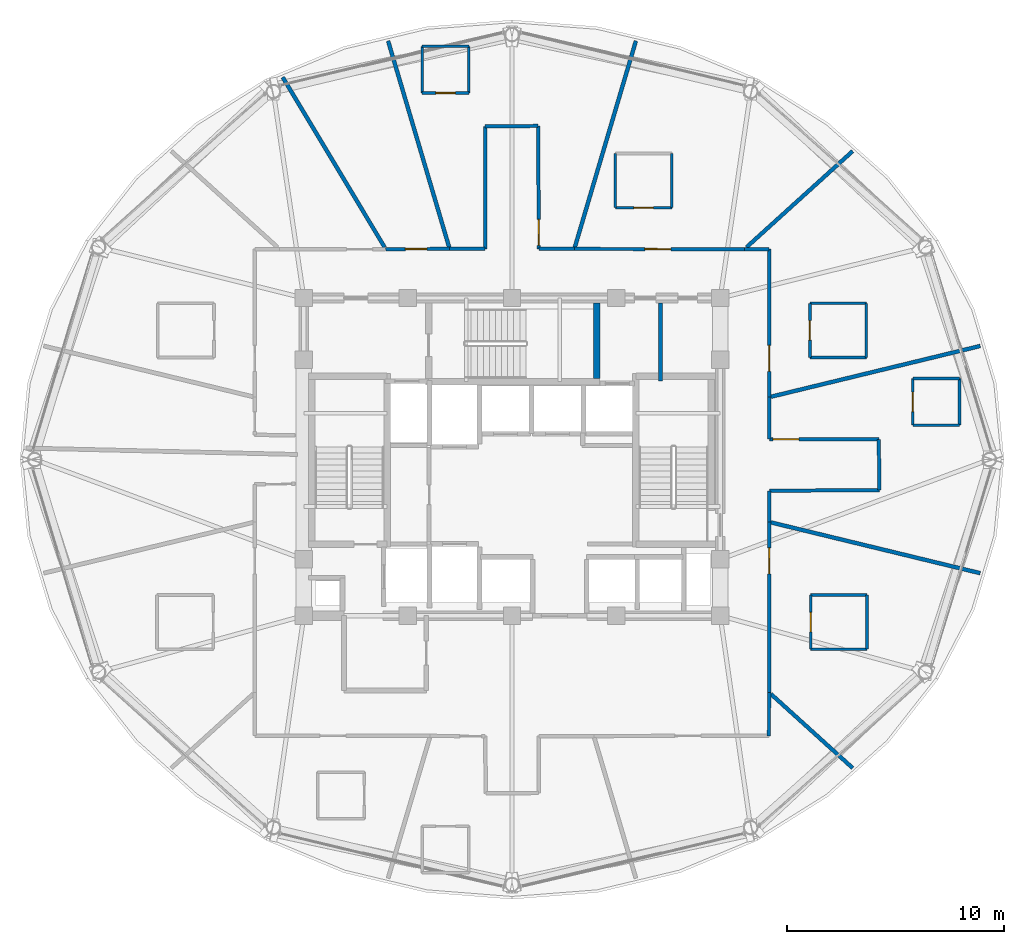
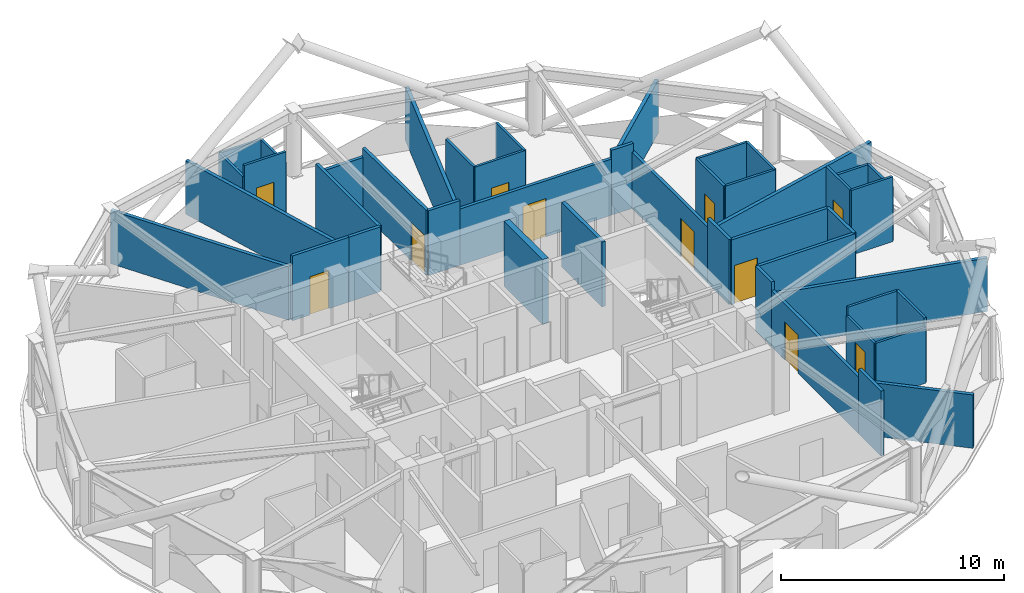
# One storey, part 24 of 29: 44 walls, 11 doors, 11 openings.
"""IFC4 building model written with IfcOpenShell, lengths in metres."""

from ifc_helpers import new_model, si_unit, direction, frame, frame_2d, origin, place, context, subcontext, project, spatial, rectangle, extrude, material, layer, layer_set, type_object, element, fill, save


model = new_model("IFC4")

# Units and contexts
model_context = context("Model", 3, precision=1e-05, world=origin(), true_north=direction((0.0, 1.0)))
body_context = subcontext(model_context, "Body", "Model", "MODEL_VIEW")
ifc_project = project(units=[si_unit("LENGTHUNIT", "METRE"), si_unit("AREAUNIT", "SQUARE_METRE"), si_unit("VOLUMEUNIT", "CUBIC_METRE"), si_unit("PLANEANGLEUNIT", "RADIAN"), si_unit("MASSUNIT", "GRAM", prefix="KILO")], contexts=[model_context])

# Site, building, storey
site_placement = place(None, origin())
site = spatial("IfcSite", under=ifc_project, at=site_placement, CompositionType="ELEMENT")
building_placement = place(site_placement, origin())
building = spatial("IfcBuilding", under=site, at=building_placement, Name="Vantalir Tower", CompositionType="ELEMENT")
storey_placement = place(building_placement, frame((0.0, 0.0, 227.39990234375)))
storey = spatial("IfcBuildingStorey", under=building, at=storey_placement, Name="L57", CompositionType="ELEMENT", Elevation=227.39990234375)

# Walls
ifc_material_1 = material(Name="Moisture-resistant en-suite partition", Category="gypsum")
ifc_layer_1 = layer(ifc_material_1, 0.125)
ifc_layer_set_1 = layer_set([ifc_layer_1], Name="Moisture-resistant en-suite partition")
wall_type_1 = type_object("IfcWallType", Name="WL-BATH-125", PredefinedType="PARTITIONING", material=ifc_layer_set_1)
for number, where, z_axis, x_axis, name in (
    (1, (45.237060546875, 29.7041015625, 0.0), (0.0, 0.0, 1.0), (1.0, 0.0, 0.0), "L57 En-suite 01 South Wall"),
    (2, (45.237060546875, 32.2041015625, 0.0), (0.0, 0.0, 1.0), (1.0, 0.0, 0.0), "L57 En-suite 01 North Wall"),
):
    element("IfcWall", number, at=place(storey_placement, frame(where, z_axis=z_axis, x_axis=x_axis)), inside=storey, type_object=wall_type_1, Name=name, PredefinedType="PARTITIONING", context=body_context, shape_type="SweptSolid", body=[
        extrude(rectangle(XDim=2.599853515625, YDim=0.125, at=frame_2d((1.2998046875, 0.0))), origin(), (0.0, 0.0, 1.0), 3.550048828125),
    ])

# Wall, opening, door
wall_1_placement = place(storey_placement, frame((45.237060546875, 29.7041015625, 0.0), z_axis=(0.0, 0.0, 1.0), x_axis=(0.0, 1.0, 0.0)))
wall_1 = element("IfcWall", 3, at=wall_1_placement, inside=storey, type_object=wall_type_1, Name="L57 En-suite 01 West Wall", PredefinedType="PARTITIONING", context=body_context, shape_type="SweptSolid", body=[
    extrude(rectangle(XDim=2.5, YDim=0.125, at=frame_2d((1.25, 0.0))), origin(), (0.0, 0.0, 1.0), 3.550048828125),
])
opening_1_placement = place(wall_1_placement, frame((0.800048828125, 0.0, 0.0)))
opening_1 = element("IfcOpeningElement", 4, at=opening_1_placement, cuts=wall_1, Name="Opening D-WC", PredefinedType="OPENING", context=body_context, shape_type="SweptSolid", body=[
    extrude(rectangle(XDim=0.89990234375, YDim=2.10009765625, at=frame_2d((0.449951171875, 1.050048828125))), frame((0.0, 0.072509765625, 0.0), z_axis=(0.0, -1.0, 0.0), x_axis=(1.0, 0.0, 0.0)), (0.0, 0.0, 1.0), 0.14501953125),
])
ifc_material_2 = material(Name="Moisture-resistant hardwood door", Category="wood")
door_type_1 = type_object("IfcDoorType", Name="DR-ENSUITE-900", OperationType="NOTDEFINED", PredefinedType="DOOR", material=ifc_material_2)
door_1_placement = place(opening_1_placement, frame((0.89990234375, 0.0, 0.0), z_axis=(0.0, 0.0, 1.0), x_axis=(-1.0, 0.0, 0.0)))
door_1 = element("IfcDoor", 5, at=door_1_placement, inside=storey, type_object=door_type_1, Name="L57 En-suite 01 Door", OperationType="SINGLE_SWING_LEFT", OverallHeight=2.10009765625, OverallWidth=0.89990234375, PredefinedType="DOOR", context=body_context, shape_type="SweptSolid", body=[
    extrude(rectangle(XDim=0.89990234375, YDim=2.10009765625, at=frame_2d((0.449951171875, 1.050048828125))), frame((0.0, 0.02490234375, 0.0), z_axis=(0.0, -1.0, 0.0), x_axis=(1.0, 0.0, 0.0)), (0.0, 0.0, 1.0), 0.050048828125),
])
fill(opening_1, door_1)

# Wall
wall_2_placement = place(storey_placement, frame((47.8369140625, 29.7041015625, 0.0), z_axis=(0.0, 0.0, 1.0), x_axis=(0.0, 1.0, 0.0)))
element("IfcWall", 6, at=wall_2_placement, inside=storey, type_object=wall_type_1, Name="L57 En-suite 01 East Wall", PredefinedType="PARTITIONING", context=body_context, shape_type="SweptSolid", body=[
    extrude(rectangle(XDim=2.5, YDim=0.125, at=frame_2d((1.25, 0.0))), origin(), (0.0, 0.0, 1.0), 3.550048828125),
])

# Wall, opening, door
wall_3_placement = place(storey_placement, frame((36.26708984375, 36.617919921875, 0.0), z_axis=(0.0, 0.0, 1.0), x_axis=(1.0, 0.0, 0.0)))
wall_3 = element("IfcWall", 7, at=wall_3_placement, inside=storey, type_object=wall_type_1, Name="L57 En-suite 02 South Wall", PredefinedType="PARTITIONING", context=body_context, shape_type="SweptSolid", body=[
    extrude(rectangle(XDim=2.599853515625, YDim=0.125, at=frame_2d((1.2998046875, 0.0))), origin(), (0.0, 0.0, 1.0), 3.550048828125),
])
opening_2_placement = place(wall_3_placement, frame((0.85009765625, 0.0, 0.0)))
opening_2 = element("IfcOpeningElement", 8, at=opening_2_placement, cuts=wall_3, Name="Opening D-WC", PredefinedType="OPENING", context=body_context, shape_type="SweptSolid", body=[
    extrude(rectangle(XDim=0.89990234375, YDim=2.10009765625, at=frame_2d((0.449951171875, 1.050048828125))), frame((0.0, 0.072509765625, 0.0), z_axis=(0.0, -1.0, 0.0), x_axis=(1.0, 0.0, 0.0)), (0.0, 0.0, 1.0), 0.14501953125),
])
door_2_placement = place(opening_2_placement, origin())
door_2 = element("IfcDoor", 9, at=door_2_placement, inside=storey, type_object=door_type_1, Name="L57 En-suite 02 Door", OperationType="SINGLE_SWING_RIGHT", OverallHeight=2.10009765625, OverallWidth=0.89990234375, PredefinedType="DOOR", context=body_context, shape_type="SweptSolid", body=[
    extrude(rectangle(XDim=0.89990234375, YDim=2.10009765625, at=frame_2d((0.449951171875, 1.050048828125))), frame((0.0, 0.02490234375, 0.0), z_axis=(0.0, -1.0, 0.0), x_axis=(1.0, 0.0, 0.0)), (0.0, 0.0, 1.0), 0.050048828125),
])
fill(opening_2, door_2)

# Walls
for number, where, z_axis, x_axis, name in (
    (10, (36.26708984375, 36.617919921875, 0.0), (0.0, 0.0, 1.0), (0.0, 1.0, 0.0), "L57 En-suite 02 West Wall"),
    (11, (38.866943359375, 36.617919921875, 0.0), (0.0, 0.0, 1.0), (0.0, 1.0, 0.0), "L57 En-suite 02 East Wall"),
):
    element("IfcWall", number, at=place(storey_placement, frame(where, z_axis=z_axis, x_axis=x_axis)), inside=storey, type_object=wall_type_1, Name=name, PredefinedType="PARTITIONING", context=body_context, shape_type="SweptSolid", body=[
        extrude(rectangle(XDim=2.5, YDim=0.125, at=frame_2d((1.25, 0.0))), origin(), (0.0, 0.0, 1.0), 3.550048828125),
    ])

# Wall, opening, door
wall_4_placement = place(storey_placement, frame((27.360107421875, 41.906005859375, 0.0), z_axis=(0.0, 0.0, 1.0), x_axis=(1.0, 0.0, 0.0)))
wall_4 = element("IfcWall", 12, at=wall_4_placement, inside=storey, type_object=wall_type_1, Name="L57 En-suite 03 South Wall", PredefinedType="PARTITIONING", context=body_context, shape_type="SweptSolid", body=[
    extrude(rectangle(XDim=2.14990234375, YDim=0.125, at=frame_2d((1.074951171875, 0.0))), origin(), (0.0, 0.0, 1.0), 3.550048828125),
])
opening_3_placement = place(wall_4_placement, frame((0.625, 0.0, 0.0)))
opening_3 = element("IfcOpeningElement", 13, at=opening_3_placement, cuts=wall_4, Name="Opening D-WC", PredefinedType="OPENING", context=body_context, shape_type="SweptSolid", body=[
    extrude(rectangle(XDim=0.89990234375, YDim=2.10009765625, at=frame_2d((0.449951171875, 1.050048828125))), frame((0.0, 0.072509765625, 0.0), z_axis=(0.0, -1.0, 0.0), x_axis=(1.0, 0.0, 0.0)), (0.0, 0.0, 1.0), 0.14501953125),
])
door_3_placement = place(opening_3_placement, origin())
door_3 = element("IfcDoor", 14, at=door_3_placement, inside=storey, type_object=door_type_1, Name="L57 En-suite 03 Door", OperationType="SINGLE_SWING_LEFT", OverallHeight=2.10009765625, OverallWidth=0.89990234375, PredefinedType="DOOR", context=body_context, shape_type="SweptSolid", body=[
    extrude(rectangle(XDim=0.89990234375, YDim=2.10009765625, at=frame_2d((0.449951171875, 1.050048828125))), frame((0.0, 0.02490234375, 0.0), z_axis=(0.0, -1.0, 0.0), x_axis=(1.0, 0.0, 0.0)), (0.0, 0.0, 1.0), 0.050048828125),
])
fill(opening_3, door_3)

# Walls
for number, where, z_axis, x_axis, name in (
    (15, (27.360107421875, 44.055908203125, 0.0), (0.0, 0.0, 1.0), (1.0, 0.0, 0.0), "L57 En-suite 03 North Wall"),
    (16, (27.360107421875, 41.906005859375, 0.0), (0.0, 0.0, 1.0), (0.0, 1.0, 0.0), "L57 En-suite 03 West Wall"),
    (17, (29.510009765625, 41.906005859375, 0.0), (0.0, 0.0, 1.0), (0.0, 1.0, 0.0), "L57 En-suite 03 East Wall"),
):
    element("IfcWall", number, at=place(storey_placement, frame(where, z_axis=z_axis, x_axis=x_axis)), inside=storey, type_object=wall_type_1, Name=name, PredefinedType="PARTITIONING", context=body_context, shape_type="SweptSolid", body=[
        extrude(rectangle(XDim=2.14990234375, YDim=0.125, at=frame_2d((1.074951171875, 0.0))), origin(), (0.0, 0.0, 1.0), 2.925048828125),
    ])
wall_5_placement = place(storey_placement, frame((45.27490234375, 16.256103515625, 0.0), z_axis=(0.0, 0.0, 1.0), x_axis=(1.0, 0.0, 0.0)))
element("IfcWall", 18, at=wall_5_placement, inside=storey, type_object=wall_type_1, Name="L57 En-suite 13 South Wall", PredefinedType="PARTITIONING", context=body_context, shape_type="SweptSolid", body=[
    extrude(rectangle(XDim=2.60009765625, YDim=0.125, at=frame_2d((1.300048828125, 0.0))), origin(), (0.0, 0.0, 1.0), 3.0810546875),
])
wall_6_placement = place(storey_placement, frame((45.27490234375, 18.756103515625, 0.0), z_axis=(0.0, 0.0, 1.0), x_axis=(1.0, 0.0, 0.0)))
element("IfcWall", 19, at=wall_6_placement, inside=storey, type_object=wall_type_1, Name="L57 En-suite 13 North Wall", PredefinedType="PARTITIONING", context=body_context, shape_type="SweptSolid", body=[
    extrude(rectangle(XDim=2.60009765625, YDim=0.125, at=frame_2d((1.300048828125, 0.0))), origin(), (0.0, 0.0, 1.0), 3.550048828125),
])

# Wall, opening, door
wall_7_placement = place(storey_placement, frame((45.27490234375, 16.256103515625, 0.0), z_axis=(0.0, 0.0, 1.0), x_axis=(0.0, 1.0, 0.0)))
wall_7 = element("IfcWall", 20, at=wall_7_placement, inside=storey, type_object=wall_type_1, Name="L57 En-suite 13 West Wall", PredefinedType="PARTITIONING", context=body_context, shape_type="SweptSolid", body=[
    extrude(rectangle(XDim=2.5, YDim=0.125, at=frame_2d((1.25, 0.0))), origin(), (0.0, 0.0, 1.0), 3.0810546875),
])
opening_4_placement = place(wall_7_placement, frame((0.800048828125, 0.0, 0.0)))
opening_4 = element("IfcOpeningElement", 21, at=opening_4_placement, cuts=wall_7, Name="Opening D-WC", PredefinedType="OPENING", context=body_context, shape_type="SweptSolid", body=[
    extrude(rectangle(XDim=0.89990234375, YDim=2.10009765625, at=frame_2d((0.449951171875, 1.050048828125))), frame((0.0, 0.072509765625, 0.0), z_axis=(0.0, -1.0, 0.0), x_axis=(1.0, 0.0, 0.0)), (0.0, 0.0, 1.0), 0.14501953125),
])
door_4_placement = place(opening_4_placement, frame((0.89990234375, 0.0, 0.0), z_axis=(0.0, 0.0, 1.0), x_axis=(-1.0, 0.0, 0.0)))
door_4 = element("IfcDoor", 22, at=door_4_placement, inside=storey, type_object=door_type_1, Name="L57 En-suite 13 Door", OperationType="SINGLE_SWING_LEFT", OverallHeight=2.10009765625, OverallWidth=0.89990234375, PredefinedType="DOOR", context=body_context, shape_type="SweptSolid", body=[
    extrude(rectangle(XDim=0.89990234375, YDim=2.10009765625, at=frame_2d((0.449951171875, 1.050048828125))), frame((0.0, 0.02490234375, 0.0), z_axis=(0.0, -1.0, 0.0), x_axis=(1.0, 0.0, 0.0)), (0.0, 0.0, 1.0), 0.050048828125),
])
fill(opening_4, door_4)

# Walls
wall_8_placement = place(storey_placement, frame((47.875, 16.256103515625, 0.0), z_axis=(0.0, 0.0, 1.0), x_axis=(0.0, 1.0, 0.0)))
element("IfcWall", 23, at=wall_8_placement, inside=storey, type_object=wall_type_1, Name="L57 En-suite 13 East Wall", PredefinedType="PARTITIONING", context=body_context, shape_type="SweptSolid", body=[
    extrude(rectangle(XDim=2.5, YDim=0.125, at=frame_2d((1.25, 0.0))), origin(), (0.0, 0.0, 1.0), 3.550048828125),
])
wall_9_placement = place(storey_placement, frame((49.985107421875, 26.589111328125, 0.0), z_axis=(0.0, 0.0, 1.0), x_axis=(1.0, 0.0, 0.0)))
element("IfcWall", 24, at=wall_9_placement, inside=storey, type_object=wall_type_1, Name="L57 En-suite 14 South Wall", PredefinedType="PARTITIONING", context=body_context, shape_type="SweptSolid", body=[
    extrude(rectangle(XDim=2.14990234375, YDim=0.125, at=frame_2d((1.074951171875, 0.0))), origin(), (0.0, 0.0, 1.0), 3.550048828125),
])
wall_10_placement = place(storey_placement, frame((49.985107421875, 28.739013671875, 0.0), z_axis=(0.0, 0.0, 1.0), x_axis=(1.0, 0.0, 0.0)))
element("IfcWall", 25, at=wall_10_placement, inside=storey, type_object=wall_type_1, Name="L57 En-suite 14 North Wall", PredefinedType="PARTITIONING", context=body_context, shape_type="SweptSolid", body=[
    extrude(rectangle(XDim=2.14990234375, YDim=0.125, at=frame_2d((1.074951171875, 0.0))), origin(), (0.0, 0.0, 1.0), 2.925048828125),
])

# Wall, opening, door
wall_11_placement = place(storey_placement, frame((49.985107421875, 26.589111328125, 0.0), z_axis=(0.0, 0.0, 1.0), x_axis=(0.0, 1.0, 0.0)))
wall_11 = element("IfcWall", 26, at=wall_11_placement, inside=storey, type_object=wall_type_1, Name="L57 En-suite 14 West Wall", PredefinedType="PARTITIONING", context=body_context, shape_type="SweptSolid", body=[
    extrude(rectangle(XDim=2.14990234375, YDim=0.125, at=frame_2d((1.074951171875, 0.0))), origin(), (0.0, 0.0, 1.0), 3.550048828125),
])
opening_5_placement = place(wall_11_placement, frame((0.625, 0.0, 0.0)))
opening_5 = element("IfcOpeningElement", 27, at=opening_5_placement, cuts=wall_11, Name="Opening D-WC", PredefinedType="OPENING", context=body_context, shape_type="SweptSolid", body=[
    extrude(rectangle(XDim=0.89990234375, YDim=2.10009765625, at=frame_2d((0.449951171875, 1.050048828125))), frame((0.0, 0.072509765625, 0.0), z_axis=(0.0, -1.0, 0.0), x_axis=(1.0, 0.0, 0.0)), (0.0, 0.0, 1.0), 0.14501953125),
])
door_5_placement = place(opening_5_placement, frame((0.89990234375, 0.0, 0.0), z_axis=(0.0, 0.0, 1.0), x_axis=(-1.0, 0.0, 0.0)))
door_5 = element("IfcDoor", 28, at=door_5_placement, inside=storey, type_object=door_type_1, Name="L57 En-suite 14 Door", OperationType="SINGLE_SWING_RIGHT", OverallHeight=2.10009765625, OverallWidth=0.89990234375, PredefinedType="DOOR", context=body_context, shape_type="SweptSolid", body=[
    extrude(rectangle(XDim=0.89990234375, YDim=2.10009765625, at=frame_2d((0.449951171875, 1.050048828125))), frame((0.0, 0.02490234375, 0.0), z_axis=(0.0, -1.0, 0.0), x_axis=(1.0, 0.0, 0.0)), (0.0, 0.0, 1.0), 0.050048828125),
])
fill(opening_5, door_5)

# Wall
wall_12_placement = place(storey_placement, frame((52.135009765625, 26.589111328125, 0.0), z_axis=(0.0, 0.0, 1.0), x_axis=(0.0, 1.0, 0.0)))
element("IfcWall", 29, at=wall_12_placement, inside=storey, type_object=wall_type_1, Name="L57 En-suite 14 East Wall", PredefinedType="PARTITIONING", context=body_context, shape_type="SweptSolid", body=[
    extrude(rectangle(XDim=2.14990234375, YDim=0.125, at=frame_2d((1.074951171875, 0.0))), origin(), (0.0, 0.0, 1.0), 2.925048828125),
])

# Wall, opening, door
ifc_material_3 = material(Name="Fire-rated hotel corridor acoustic partition", Category="gypsum")
ifc_layer_2 = layer(ifc_material_3, 0.159912109375)
ifc_layer_set_2 = layer_set([ifc_layer_2], Name="Fire-rated hotel corridor acoustic partition")
wall_type_2 = type_object("IfcWallType", Name="WL-CORR-160", PredefinedType="PARTITIONING", material=ifc_layer_set_2)
wall_13_placement = place(storey_placement, frame((25.677978515625, 34.708984375, 0.0), z_axis=(0.0, 0.0, 1.0), x_axis=(0.99999912212, 0.001325050597, 0.0)))
wall_13 = element("IfcWall", 30, at=wall_13_placement, inside=storey, type_object=wall_type_2, Name="L57 Corridor Partition 06", PredefinedType="PARTITIONING", context=body_context, shape_type="SweptSolid", body=[
    extrude(rectangle(XDim=2.947998046875, YDim=0.159912109375, at=frame_2d((1.47412109375, 0.0))), origin(), (0.0, 0.0, 1.0), 3.550048828125),
])
opening_6_placement = place(wall_13_placement, frame((0.89990234375, 0.0, 0.0)))
opening_6 = element("IfcOpeningElement", 31, at=opening_6_placement, cuts=wall_13, Name="Opening D-GUEST", PredefinedType="OPENING", context=body_context, shape_type="SweptSolid", body=[
    extrude(rectangle(XDim=1.0, YDim=2.10009765625, at=frame_2d((0.5, 1.050048828125))), frame((0.0, 0.08984375, 0.0), z_axis=(0.0, -1.0, 0.0), x_axis=(1.0, 0.0, 0.0)), (0.0, 0.0, 1.0), 0.179931640625),
])
ifc_material_4 = material(Name="Solid-core teak veneer acoustic fire door", Category="wood")
door_type_2 = type_object("IfcDoorType", Name="DR-GUEST-ENTRY-1000", OperationType="NOTDEFINED", PredefinedType="DOOR", material=ifc_material_4)
door_6_placement = place(opening_6_placement, origin())
door_6 = element("IfcDoor", 32, at=door_6_placement, inside=storey, type_object=door_type_2, Name="L57 Executive Business Study 04 Door", OperationType="SINGLE_SWING_RIGHT", OverallHeight=2.10009765625, OverallWidth=1.0, PredefinedType="DOOR", context=body_context, shape_type="SweptSolid", body=[
    extrude(rectangle(XDim=1.0, YDim=2.10009765625, at=frame_2d((0.5, 1.050048828125))), frame((0.0, 0.02490234375, 0.0), z_axis=(0.0, -1.0, 0.0), x_axis=(1.0, 0.0, 0.0)), (0.0, 0.0, 1.0), 0.050048828125),
])
fill(opening_6, door_6)

# Walls
wall_14_placement = place(storey_placement, frame((28.6259765625, 34.712890625, 0.0), z_axis=(0.0, 0.0, 1.0), x_axis=(0.999999095908, 0.001344687265, 0.0)))
element("IfcWall", 33, at=wall_14_placement, inside=storey, type_object=wall_type_2, Name="L57 Corridor Partition 07", PredefinedType="PARTITIONING", context=body_context, shape_type="SweptSolid", body=[
    extrude(rectangle(XDim=1.634033203125, YDim=0.159912109375, at=frame_2d((0.81689453125, 0.0))), origin(), (0.0, 0.0, 1.0), 3.550048828125),
])
wall_15_placement = place(storey_placement, frame((30.260009765625, 34.715087890625, 0.0), z_axis=(0.0, 0.0, 1.0), x_axis=(0.00051889641, 0.999999865373, 0.0)))
element("IfcWall", 34, at=wall_15_placement, inside=storey, type_object=wall_type_2, Name="L57 Corridor Partition 08", PredefinedType="PARTITIONING", context=body_context, shape_type="SweptSolid", body=[
    extrude(rectangle(XDim=5.64599609375, YDim=0.159912109375, at=frame_2d((2.822998046875, 0.0))), origin(), (0.0, 0.0, 1.0), 3.550048828125),
])
wall_16_placement = place(storey_placement, frame((30.262939453125, 40.361083984375, 0.0), z_axis=(0.0, 0.0, 1.0), x_axis=(0.999947973655, 0.01020048938, 0.0)))
element("IfcWall", 35, at=wall_16_placement, inside=storey, type_object=wall_type_2, Name="L57 Corridor Partition 09", PredefinedType="PARTITIONING", context=body_context, shape_type="SweptSolid", body=[
    extrude(rectangle(XDim=2.44140625, YDim=0.159912109375, at=frame_2d((1.220703125, 0.0))), origin(), (0.0, 0.0, 1.0), 3.0810546875),
])

# Wall, opening, door
wall_17_placement = place(storey_placement, frame((32.7041015625, 40.385986328125, 0.0), z_axis=(0.0, 0.0, 1.0), x_axis=(0.00632844224, -0.999979975209, 0.0)))
wall_17 = element("IfcWall", 36, at=wall_17_placement, inside=storey, type_object=wall_type_2, Name="L57 Corridor Partition 10", PredefinedType="PARTITIONING", context=body_context, shape_type="SweptSolid", body=[
    extrude(rectangle(XDim=5.6708984375, YDim=0.159912109375, at=frame_2d((2.83544921875, 0.0))), origin(), (0.0, 0.0, 1.0), 3.550048828125),
])
opening_7_placement = place(wall_17_placement, frame((4.31103515625, 0.0, 0.0)))
opening_7 = element("IfcOpeningElement", 37, at=opening_7_placement, cuts=wall_17, Name="Opening D-STE", PredefinedType="OPENING", context=body_context, shape_type="SweptSolid", body=[
    extrude(rectangle(XDim=1.199951171875, YDim=2.10009765625, at=frame_2d((0.60009765625, 1.050048828125))), frame((0.0, 0.08984375, 0.0), z_axis=(0.0, -1.0, 0.0), x_axis=(1.0, 0.0, 0.0)), (0.0, 0.0, 1.0), 0.179931640625),
])
ifc_material_5 = material(Name="Solid-core teak veneer suite entrance door", Category="wood")
door_type_3 = type_object("IfcDoorType", Name="DR-SUITE-ENTRY-1200", OperationType="NOTDEFINED", PredefinedType="DOOR", material=ifc_material_5)
door_7_placement = place(opening_7_placement, origin())
door_7 = element("IfcDoor", 38, at=door_7_placement, inside=storey, type_object=door_type_3, Name="L57 Corner Panorama Hotel Suite 03 Door", OperationType="SINGLE_SWING_LEFT", OverallHeight=2.10009765625, OverallWidth=1.199951171875, PredefinedType="DOOR", context=body_context, shape_type="SweptSolid", body=[
    extrude(rectangle(XDim=1.199951171875, YDim=2.10009765625, at=frame_2d((0.60009765625, 1.050048828125))), frame((0.0, 0.02490234375, 0.0), z_axis=(0.0, -1.0, 0.0), x_axis=(1.0, 0.0, 0.0)), (0.0, 0.0, 1.0), 0.050048828125),
])
fill(opening_7, door_7)

# Wall
wall_18_placement = place(storey_placement, frame((32.739990234375, 34.715087890625, 0.0), z_axis=(0.0, 0.0, 1.0), x_axis=(0.999999095908, -0.001344687265, 0.0)))
element("IfcWall", 39, at=wall_18_placement, inside=storey, type_object=wall_type_2, Name="L57 Corridor Partition 11", PredefinedType="PARTITIONING", context=body_context, shape_type="SweptSolid", body=[
    extrude(rectangle(XDim=1.634033203125, YDim=0.159912109375, at=frame_2d((0.81689453125, 0.0))), origin(), (0.0, 0.0, 1.0), 3.550048828125),
])

# Wall, opening, door
wall_19_placement = place(storey_placement, frame((34.3740234375, 34.712890625, 0.0), z_axis=(0.0, 0.0, 1.0), x_axis=(0.999999504007, -0.000995984442, 0.0)))
wall_19 = element("IfcWall", 40, at=wall_19_placement, inside=storey, type_object=wall_type_2, Name="L57 Corridor Partition 12", PredefinedType="PARTITIONING", context=body_context, shape_type="SweptSolid", body=[
    extrude(rectangle(XDim=7.843994140625, YDim=0.159912109375, at=frame_2d((3.921875, 0.0))), origin(), (0.0, 0.0, 1.0), 3.0810546875),
])
opening_8_placement = place(wall_19_placement, frame((3.248046875, 0.0, 0.0)))
opening_8 = element("IfcOpeningElement", 41, at=opening_8_placement, cuts=wall_19, Name="Opening D-STE", PredefinedType="OPENING", context=body_context, shape_type="SweptSolid", body=[
    extrude(rectangle(XDim=1.199951171875, YDim=2.10009765625, at=frame_2d((0.60009765625, 1.050048828125))), frame((0.0, 0.08984375, 0.0), z_axis=(0.0, -1.0, 0.0), x_axis=(1.0, 0.0, 0.0)), (0.0, 0.0, 1.0), 0.179931640625),
])
door_8_placement = place(opening_8_placement, origin())
door_8 = element("IfcDoor", 42, at=door_8_placement, inside=storey, type_object=door_type_3, Name="L57 Royal Ambassador Hotel Suite 02 Door", OperationType="SINGLE_SWING_RIGHT", OverallHeight=2.10009765625, OverallWidth=1.199951171875, PredefinedType="DOOR", context=body_context, shape_type="SweptSolid", body=[
    extrude(rectangle(XDim=1.199951171875, YDim=2.10009765625, at=frame_2d((0.60009765625, 1.050048828125))), frame((0.0, 0.02490234375, 0.0), z_axis=(0.0, -1.0, 0.0), x_axis=(1.0, 0.0, 0.0)), (0.0, 0.0, 1.0), 0.050048828125),
])
fill(opening_8, door_8)

# Wall
wall_20_placement = place(storey_placement, frame((42.218017578125, 34.705078125, 0.0), z_axis=(0.0, 0.0, 1.0), x_axis=(0.99999812615, -0.001935896566, 0.0)))
element("IfcWall", 43, at=wall_20_placement, inside=storey, type_object=wall_type_2, Name="L57 Corridor Partition 13", PredefinedType="PARTITIONING", context=body_context, shape_type="SweptSolid", body=[
    extrude(rectangle(XDim=1.135009765625, YDim=0.159912109375, at=frame_2d((0.5673828125, 0.0))), origin(), (0.0, 0.0, 1.0), 3.550048828125),
])

# Wall, opening, door
wall_21_placement = place(storey_placement, frame((43.35302734375, 34.702880859375, 0.0), z_axis=(0.0, 0.0, 1.0), x_axis=(0.001323554555, -0.999999124101, 0.0)))
wall_21 = element("IfcWall", 44, at=wall_21_placement, inside=storey, type_object=wall_type_2, Name="L57 Corridor Partition 14", PredefinedType="PARTITIONING", context=body_context, shape_type="SweptSolid", body=[
    extrude(rectangle(XDim=6.824951171875, YDim=0.159912109375, at=frame_2d((3.41259765625, 0.0))), origin(), (0.0, 0.0, 1.0), 3.0810546875),
])
opening_9_placement = place(wall_21_placement, frame((4.43310546875, 0.0, 0.0)))
opening_9 = element("IfcOpeningElement", 45, at=opening_9_placement, cuts=wall_21, Name="Opening D-STE", PredefinedType="OPENING", context=body_context, shape_type="SweptSolid", body=[
    extrude(rectangle(XDim=1.199951171875, YDim=2.10009765625, at=frame_2d((0.60009765625, 1.050048828125))), frame((0.0, 0.08984375, 0.0), z_axis=(0.0, -1.0, 0.0), x_axis=(1.0, 0.0, 0.0)), (0.0, 0.0, 1.0), 0.179931640625),
])
door_9_placement = place(opening_9_placement, origin())
door_9 = element("IfcDoor", 46, at=door_9_placement, inside=storey, type_object=door_type_3, Name="L57 Royal Ambassador Hotel Suite 01 Door", OperationType="SINGLE_SWING_LEFT", OverallHeight=2.10009765625, OverallWidth=1.199951171875, PredefinedType="DOOR", context=body_context, shape_type="SweptSolid", body=[
    extrude(rectangle(XDim=1.199951171875, YDim=2.10009765625, at=frame_2d((0.60009765625, 1.050048828125))), frame((0.0, 0.02490234375, 0.0), z_axis=(0.0, -1.0, 0.0), x_axis=(1.0, 0.0, 0.0)), (0.0, 0.0, 1.0), 0.050048828125),
])
fill(opening_9, door_9)

# Wall
wall_22_placement = place(storey_placement, frame((43.362060546875, 27.8779296875, 0.0), z_axis=(0.0, 0.0, 1.0), x_axis=(0.00151171407, -0.99999885736, 0.0)))
element("IfcWall", 47, at=wall_22_placement, inside=storey, type_object=wall_type_2, Name="L57 Corridor Partition 15", PredefinedType="PARTITIONING", context=body_context, shape_type="SweptSolid", body=[
    extrude(rectangle(XDim=1.93798828125, YDim=0.159912109375, at=frame_2d((0.968994140625, 0.0))), origin(), (0.0, 0.0, 1.0), 3.550048828125),
])

# Wall, opening, door
wall_23_placement = place(storey_placement, frame((43.364990234375, 25.93994140625, 0.0), z_axis=(0.0, 0.0, 1.0), x_axis=(0.999999831724, -0.000580130432, 0.0)))
wall_23 = element("IfcWall", 48, at=wall_23_placement, inside=storey, type_object=wall_type_2, Name="L57 Corridor Partition 16", PredefinedType="PARTITIONING", context=body_context, shape_type="SweptSolid", body=[
    extrude(rectangle(XDim=5.050048828125, YDim=0.159912109375, at=frame_2d((2.52490234375, 0.0))), origin(), (0.0, 0.0, 1.0), 3.550048828125),
])
opening_10_placement = place(wall_23_placement, frame((0.159912109375, 0.0, 0.0)))
opening_10 = element("IfcOpeningElement", 49, at=opening_10_placement, cuts=wall_23, Name="Opening D-STE", PredefinedType="OPENING", context=body_context, shape_type="SweptSolid", body=[
    extrude(rectangle(XDim=1.199951171875, YDim=2.10009765625, at=frame_2d((0.60009765625, 1.050048828125))), frame((0.0, 0.08984375, 0.0), z_axis=(0.0, -1.0, 0.0), x_axis=(1.0, 0.0, 0.0)), (0.0, 0.0, 1.0), 0.179931640625),
])
door_10_placement = place(opening_10_placement, origin())
door_10 = element("IfcDoor", 50, at=door_10_placement, inside=storey, type_object=door_type_3, Name="L57 Executive Club Hotel Suite 14 Door", OperationType="SINGLE_SWING_RIGHT", OverallHeight=2.10009765625, OverallWidth=1.199951171875, PredefinedType="DOOR", context=body_context, shape_type="SweptSolid", body=[
    extrude(rectangle(XDim=1.199951171875, YDim=2.10009765625, at=frame_2d((0.60009765625, 1.050048828125))), frame((0.0, 0.02490234375, 0.0), z_axis=(0.0, -1.0, 0.0), x_axis=(1.0, 0.0, 0.0)), (0.0, 0.0, 1.0), 0.050048828125),
])
fill(opening_10, door_10)

# Walls
wall_24_placement = place(storey_placement, frame((48.4150390625, 25.93701171875, 0.0), z_axis=(0.0, 0.0, 1.0), x_axis=(0.010636586698, -0.999943429912, 0.0)))
element("IfcWall", 51, at=wall_24_placement, inside=storey, type_object=wall_type_2, Name="L57 Corridor Partition 17", PredefinedType="PARTITIONING", context=body_context, shape_type="SweptSolid", body=[
    extrude(rectangle(XDim=2.34130859375, YDim=0.159912109375, at=frame_2d((1.170654296875, 0.0))), origin(), (0.0, 0.0, 1.0), 3.550048828125),
])
wall_25_placement = place(storey_placement, frame((48.43994140625, 23.595947265625, 0.0), z_axis=(0.0, 0.0, 1.0), x_axis=(-0.999974996273, -0.007071550702, 0.0)))
element("IfcWall", 52, at=wall_25_placement, inside=storey, type_object=wall_type_2, Name="L57 Corridor Partition 18", PredefinedType="PARTITIONING", context=body_context, shape_type="SweptSolid", body=[
    extrude(rectangle(XDim=5.0751953125, YDim=0.159912109375, at=frame_2d((2.53759765625, 0.0))), origin(), (0.0, 0.0, 1.0), 3.550048828125),
])
wall_26_placement = place(storey_placement, frame((43.364990234375, 23.56005859375, 0.0), z_axis=(0.0, 0.0, 1.0), x_axis=(-0.001358233043, -0.999999077601, 0.0)))
element("IfcWall", 53, at=wall_26_placement, inside=storey, type_object=wall_type_2, Name="L57 Corridor Partition 19", PredefinedType="PARTITIONING", context=body_context, shape_type="SweptSolid", body=[
    extrude(rectangle(XDim=1.43798828125, YDim=0.159912109375, at=frame_2d((0.718994140625, 0.0))), origin(), (0.0, 0.0, 1.0), 3.550048828125),
])

# Wall, opening, door
wall_27_placement = place(storey_placement, frame((43.363037109375, 22.1220703125, 0.0), z_axis=(0.0, 0.0, 1.0), x_axis=(-0.001274478294, -0.999999187852, 0.0)))
wall_27 = element("IfcWall", 54, at=wall_27_placement, inside=storey, type_object=wall_type_2, Name="L57 Corridor Partition 20", PredefinedType="PARTITIONING", context=body_context, shape_type="SweptSolid", body=[
    extrude(rectangle(XDim=7.85400390625, YDim=0.159912109375, at=frame_2d((3.927001953125, 0.0))), origin(), (0.0, 0.0, 1.0), 3.0810546875),
])
opening_11_placement = place(wall_27_placement, frame((1.19091796875, 0.0, 0.0)))
opening_11 = element("IfcOpeningElement", 55, at=opening_11_placement, cuts=wall_27, Name="Opening D-STE", PredefinedType="OPENING", context=body_context, shape_type="SweptSolid", body=[
    extrude(rectangle(XDim=1.199951171875, YDim=2.10009765625, at=frame_2d((0.60009765625, 1.050048828125))), frame((0.0, 0.08984375, 0.0), z_axis=(0.0, -1.0, 0.0), x_axis=(1.0, 0.0, 0.0)), (0.0, 0.0, 1.0), 0.179931640625),
])
door_11_placement = place(opening_11_placement, origin())
door_11 = element("IfcDoor", 56, at=door_11_placement, inside=storey, type_object=door_type_3, Name="L57 Corner Panorama Hotel Suite 13 Door", OperationType="SINGLE_SWING_LEFT", OverallHeight=2.10009765625, OverallWidth=1.199951171875, PredefinedType="DOOR", context=body_context, shape_type="SweptSolid", body=[
    extrude(rectangle(XDim=1.199951171875, YDim=2.10009765625, at=frame_2d((0.60009765625, 1.050048828125))), frame((0.0, 0.02490234375, 0.0), z_axis=(0.0, -1.0, 0.0), x_axis=(1.0, 0.0, 0.0)), (0.0, 0.0, 1.0), 0.050048828125),
])
fill(opening_11, door_11)

# Walls
wall_28_placement = place(storey_placement, frame((43.35302734375, 14.26806640625, 0.0), z_axis=(0.0, 0.0, 1.0), x_axis=(-0.001458255832, -0.999998936744, 0.0)))
element("IfcWall", 57, at=wall_28_placement, inside=storey, type_object=wall_type_2, Name="L57 Corridor Partition 21", PredefinedType="PARTITIONING", context=body_context, shape_type="SweptSolid", body=[
    extrude(rectangle(XDim=2.009033203125, YDim=0.159912109375, at=frame_2d((1.00439453125, 0.0))), origin(), (0.0, 0.0, 1.0), 3.550048828125),
])
ifc_material_6 = material(Name="Twin-stud acoustic fire-rated gypsum partition", Category="gypsum")
ifc_layer_3 = layer(ifc_material_6, 0.179931640625)
ifc_layer_set_3 = layer_set([ifc_layer_3], Name="Twin-stud acoustic fire-rated gypsum partition")
wall_type_3 = type_object("IfcWallType", Name="WL-GUEST-180", PredefinedType="PARTITIONING", material=ifc_layer_set_3)
wall_29_placement = place(storey_placement, frame((38.340087890625, 28.6201171875, 0.0), z_axis=(0.0, 0.0, 1.0), x_axis=(0.0, 1.0, 0.0)))
element("IfcWall", 58, at=wall_29_placement, inside=storey, type_object=wall_type_3, Name="L57 High-Rise Lift Lobby East Wall", PredefinedType="PARTITIONING", context=body_context, shape_type="SweptSolid", body=[
    extrude(rectangle(XDim=3.60498046875, YDim=0.179931640625, at=frame_2d((1.802490234375, 0.0))), origin(), (0.0, 0.0, 1.0), 3.550048828125),
])
wall_30_placement = place(storey_placement, frame((43.43994140625, 27.89697265625, 0.0), z_axis=(0.0, 0.0, 1.0), x_axis=(0.97180626126, 0.235780810447, 0.0)))
element("IfcWall", 59, at=wall_30_placement, inside=storey, type_object=wall_type_3, Name="L57 Radial Suite Partition 01", PredefinedType="PARTITIONING", context=body_context, shape_type="SweptSolid", body=[
    extrude(rectangle(XDim=9.93310546875, YDim=0.179931640625, at=frame_2d((4.966552734375, 0.0))), origin(), (0.0, 0.0, 1.0), 2.925048828125),
])
wall_31_placement = place(storey_placement, frame((42.31201171875, 34.7900390625, 0.0), z_axis=(0.0, 0.0, 1.0), x_axis=(0.74129840932, 0.671175586817, 0.0)))
element("IfcWall", 60, at=wall_31_placement, inside=storey, type_object=wall_type_3, Name="L57 Radial Suite Partition 02", PredefinedType="PARTITIONING", context=body_context, shape_type="SweptSolid", body=[
    extrude(rectangle(XDim=6.604736328125, YDim=0.179931640625, at=frame_2d((3.30224609375, 0.0))), origin(), (0.0, 0.0, 1.0), 2.925048828125),
])
for number, where, z_axis, x_axis, name in (
    (61, (34.39697265625, 34.7900390625, 0.0), (0.0, 0.0, 1.0), (0.283807779654, 0.958881194001, 0.0), "L57 Radial Suite Partition 03"),
    (62, (28.60302734375, 34.7900390625, 0.0), (0.0, 0.0, 1.0), (-0.283807779654, 0.958881194001, 0.0), "L57 Radial Suite Partition 04"),
):
    element("IfcWall", number, at=place(storey_placement, frame(where, z_axis=z_axis, x_axis=x_axis)), inside=storey, type_object=wall_type_3, Name=name, PredefinedType="PARTITIONING", context=body_context, shape_type="SweptSolid", body=[
        extrude(rectangle(XDim=9.92626953125, YDim=0.179931640625, at=frame_2d((4.963134765625, 0.0))), origin(), (0.0, 0.0, 1.0), 2.925048828125),
    ])
wall_32_placement = place(storey_placement, frame((25.62890625, 34.7900390625, 0.0), z_axis=(0.0, 0.0, 1.0), x_axis=(-0.514260176144, 0.85763422928, 0.0)))
element("IfcWall", 63, at=wall_32_placement, inside=storey, type_object=wall_type_3, Name="L57 Radial Suite Partition 05", PredefinedType="PARTITIONING", context=body_context, shape_type="SweptSolid", body=[
    extrude(rectangle(XDim=9.14501953125, YDim=0.179931640625, at=frame_2d((4.572509765625, 0.0))), origin(), (0.0, 0.0, 1.0), 2.925048828125),
])
wall_33_placement = place(storey_placement, frame((43.43994140625, 14.18896484375, 0.0), z_axis=(0.0, 0.0, 1.0), x_axis=(0.741275158448, -0.671201265991, 0.0)))
element("IfcWall", 64, at=wall_33_placement, inside=storey, type_object=wall_type_3, Name="L57 Radial Suite Partition 13", PredefinedType="PARTITIONING", context=body_context, shape_type="SweptSolid", body=[
    extrude(rectangle(XDim=5.083251953125, YDim=0.179931640625, at=frame_2d((2.54150390625, 0.0))), origin(), (0.0, 0.0, 1.0), 2.925048828125),
])
wall_34_placement = place(storey_placement, frame((43.43994140625, 22.10302734375, 0.0), z_axis=(0.0, 0.0, 1.0), x_axis=(0.97180626126, -0.235780810447, 0.0)))
element("IfcWall", 65, at=wall_34_placement, inside=storey, type_object=wall_type_3, Name="L57 Radial Suite Partition 14", PredefinedType="PARTITIONING", context=body_context, shape_type="SweptSolid", body=[
    extrude(rectangle(XDim=9.93310546875, YDim=0.179931640625, at=frame_2d((4.966552734375, 0.0))), origin(), (0.0, 0.0, 1.0), 2.925048828125),
])
ifc_material_7 = material(Name="Concrete C50/60", Category="concrete")
ifc_layer_4 = layer(ifc_material_7, 0.300048828125)
ifc_layer_set_4 = layer_set([ifc_layer_4], Name="Concrete C50/60")
wall_type_4 = type_object("IfcWallType", Name="WL-STAIR-300", PredefinedType="SHEAR", material=ifc_layer_set_4)
wall_35_placement = place(storey_placement, frame((35.39990234375, 28.75, 0.0), z_axis=(0.0, 0.0, 1.0), x_axis=(0.0, 1.0, 0.0)))
element("IfcWall", 66, at=wall_35_placement, inside=storey, type_object=wall_type_4, Name="L57 Stair ST3 East Wall", PredefinedType="SHEAR", context=body_context, shape_type="SweptSolid", body=[
    extrude(rectangle(XDim=3.47509765625, YDim=0.300048828125, at=frame_2d((1.737548828125, 0.0))), origin(), (0.0, 0.0, 1.0), 3.570068359375),
])

save(model, "model.ifc")
